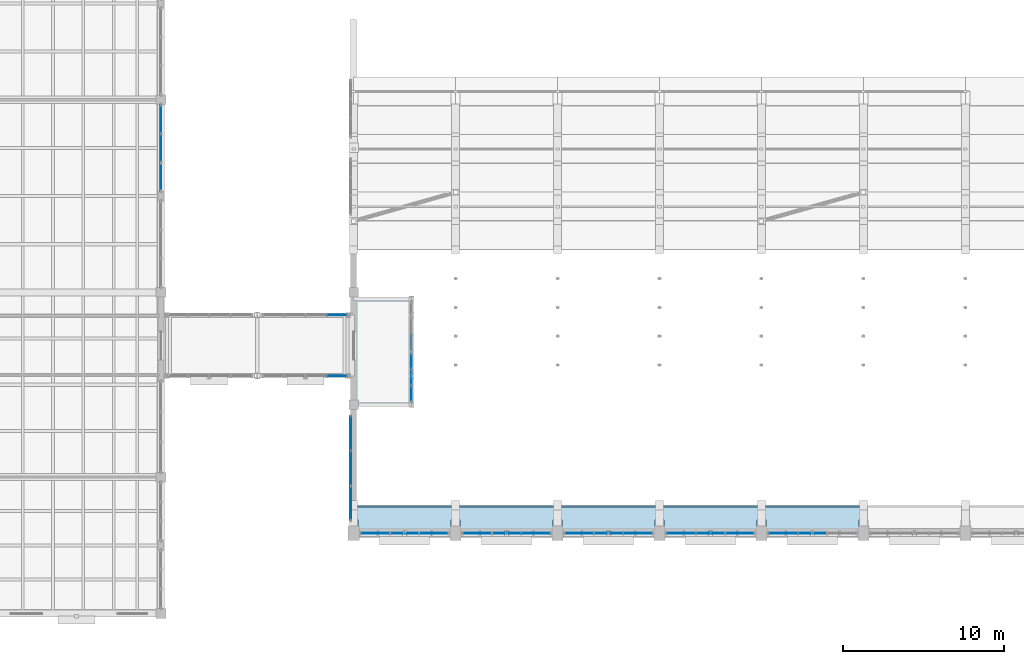
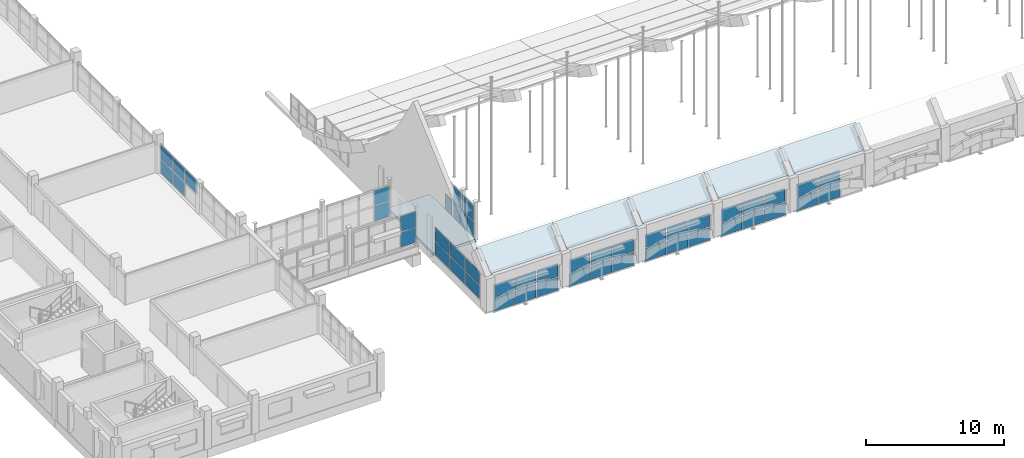
# One storey, part 48 of 77: 50 plates, 6 slabs, 11 elements without a shape of their own.
"""IFC4 building model written with IfcOpenShell, lengths in metres."""

from ifc_helpers import new_model, si_unit, direction, frame, origin, origin_2d, place, context, subcontext, project, spatial, polyline, rectangle, outline, extrude, material, layer, layer_set, type_object, element, aggregate, save


model = new_model("IFC4")

# Units and contexts
model_context = context("Model", 3, precision=1e-05, world=origin(), true_north=direction((0.0, 1.0)))
body_context = subcontext(model_context, "Body", "Model", "MODEL_VIEW")
ifc_project = project(units=[si_unit("LENGTHUNIT", "METRE"), si_unit("AREAUNIT", "SQUARE_METRE"), si_unit("VOLUMEUNIT", "CUBIC_METRE"), si_unit("PLANEANGLEUNIT", "RADIAN"), si_unit("MASSUNIT", "GRAM", prefix="KILO")], contexts=[model_context])

# Site, building, storey
site_placement = place(None, origin())
site = spatial("IfcSite", under=ifc_project, at=site_placement, CompositionType="ELEMENT")
building_placement = place(site_placement, origin())
building = spatial("IfcBuilding", under=site, at=building_placement, Name="Trellovar Central Fire Station", CompositionType="ELEMENT")
storey_placement = place(building_placement, frame((0.0, 0.0, 5.85009765625)))
storey = spatial("IfcBuildingStorey", under=building, at=storey_placement, Name="L02", CompositionType="ELEMENT", Elevation=5.85009765625)

# Curtain wall, plate
ifc_material_1 = material(Name="Thermally broken bronze anodized aluminum", Category="aluminium")
ifc_layer_1 = layer(ifc_material_1, 0.159912109375)
ifc_layer_set_1 = layer_set([ifc_layer_1], Name="Thermally broken bronze anodized aluminum")
curtain_wall_type_1 = type_object("IfcCurtainWallType", Name="CW-05", PredefinedType="NOTDEFINED", material=ifc_layer_set_1)
curtain_wall_1_placement = place(storey_placement, origin())
curtain_wall_1 = element("IfcCurtainWall", 1, at=curtain_wall_1_placement, inside=storey, type_object=curtain_wall_type_1, Name="V1 south upper clerestory 1", PredefinedType="NOTDEFINED")
ifc_material_2 = material(Name="Double low-E solar control insulated glazing", Category="glass")
ifc_layer_2 = layer(ifc_material_2, 0.031982421875)
ifc_layer_set_2 = layer_set([ifc_layer_2], Name="Double low-E solar control insulated glazing")
plate_type_1 = type_object("IfcPlateType", Name="CWP-GL1", PredefinedType="CURTAIN_PANEL", material=ifc_layer_set_2)
plate_1_placement = place(storey_placement, frame((39.99169921875, 14.0, 0.764892578125), z_axis=(0.0, 0.0, 1.0), x_axis=(1.0, 0.0, 0.0)))
plate_1 = element("IfcPlate", 2, at=plate_1_placement, type_object=plate_type_1, Name="CW3-L02-0001 panel 3-2", PredefinedType="CURTAIN_PANEL", context=body_context, shape_type="SweptSolid", body=[
    extrude(rectangle(XDim=1.73681640625, YDim=0.031982421875, at=origin_2d()), origin(), (0.0, 0.0, 1.0), 1.14501953125),
])

curtain_wall_2_placement = place(storey_placement, origin())
curtain_wall_2 = element("IfcCurtainWall", 3, at=curtain_wall_2_placement, inside=storey, type_object=curtain_wall_type_1, Name="V1 south upper clerestory 2", PredefinedType="NOTDEFINED")
plate_2_placement = place(storey_placement, frame((44.52490234375, 14.0, 0.764892578125), z_axis=(0.0, 0.0, 1.0), x_axis=(1.0, 0.0, 0.0)))
plate_2 = element("IfcPlate", 4, at=plate_2_placement, type_object=plate_type_1, Name="CW3-L02-0002 panel 2-2", PredefinedType="CURTAIN_PANEL", context=body_context, shape_type="SweptSolid", body=[
    extrude(rectangle(XDim=1.736572265625, YDim=0.031982421875, at=origin_2d()), origin(), (0.0, 0.0, 1.0), 1.14501953125),
])

curtain_wall_3_placement = place(storey_placement, origin())
curtain_wall_3 = element("IfcCurtainWall", 5, at=curtain_wall_3_placement, inside=storey, type_object=curtain_wall_type_1, Name="V1 south upper clerestory 3", PredefinedType="NOTDEFINED")
plate_3_placement = place(storey_placement, frame((49.058349609375, 14.0, 0.764892578125), z_axis=(0.0, 0.0, 1.0), x_axis=(1.0, 0.0, 0.0)))
plate_3 = element("IfcPlate", 6, at=plate_3_placement, type_object=plate_type_1, Name="CW3-L02-0003 panel 1-2", PredefinedType="CURTAIN_PANEL", context=body_context, shape_type="SweptSolid", body=[
    extrude(rectangle(XDim=1.73681640625, YDim=0.031982421875, at=origin_2d()), origin(), (0.0, 0.0, 1.0), 1.14501953125),
])

# Curtain wall, plates
ifc_material_3 = material(Name="Thermally broken bronze anodized aluminum", Category="aluminium")
ifc_layer_3 = layer(ifc_material_3, 0.159912109375)
ifc_layer_set_3 = layer_set([ifc_layer_3], Name="Thermally broken bronze anodized aluminum")
curtain_wall_type_2 = type_object("IfcCurtainWallType", Name="CW-15", PredefinedType="NOTDEFINED", material=ifc_layer_set_3)
curtain_wall_4_placement = place(storey_placement, origin())
curtain_wall_4 = element("IfcCurtainWall", 7, at=curtain_wall_4_placement, inside=storey, type_object=curtain_wall_type_2, Name="V1 W ski-jump gable clerestory 1", PredefinedType="NOTDEFINED")
plate_4_placement = place(storey_placement, frame((34.820068359375, 15.88330078125, 1.639892578125), z_axis=(0.0, 0.0, 1.0), x_axis=(0.0, 1.0, 0.0)))
plate_4 = element("IfcPlate", 8, at=plate_4_placement, type_object=plate_type_1, Name="CW3-L02-0011 panel 1-2", PredefinedType="CURTAIN_PANEL", context=body_context, shape_type="SweptSolid", body=[
    extrude(rectangle(XDim=2.086669921875, YDim=0.031982421875, at=origin_2d()), origin(), (0.0, 0.0, 1.0), 1.169921875),
])
plate_5_placement = place(storey_placement, frame((34.820068359375, 18.050048828125, 0.389892578125), z_axis=(0.0, 0.0, 1.0), x_axis=(0.0, 1.0, 0.0)))
plate_5 = element("IfcPlate", 9, at=plate_5_placement, type_object=plate_type_1, Name="CW3-L02-0011 panel 2-1", PredefinedType="CURTAIN_PANEL", context=body_context, shape_type="SweptSolid", body=[
    extrude(rectangle(XDim=2.086669921875, YDim=0.031982421875, at=origin_2d()), origin(), (0.0, 0.0, 1.0), 1.169921875),
])

# Curtain wall, plate
ifc_material_4 = material(Name="Thermally broken bronze anodized aluminum", Category="aluminium")
ifc_layer_4 = layer(ifc_material_4, 0.159912109375)
ifc_layer_set_4 = layer_set([ifc_layer_4], Name="Thermally broken bronze anodized aluminum")
curtain_wall_type_3 = type_object("IfcCurtainWallType", Name="CW-11", PredefinedType="NOTDEFINED", material=ifc_layer_set_4)
curtain_wall_5_placement = place(storey_placement, origin())
curtain_wall_5 = element("IfcCurtainWall", 10, at=curtain_wall_5_placement, inside=storey, type_object=curtain_wall_type_3, Name="V1 west vault gallery screen S", PredefinedType="NOTDEFINED")
plate_6_placement = place(storey_placement, frame((38.60009765625, 24.699951171875, 1.46484375), z_axis=(0.0, 0.0, 1.0), x_axis=(0.0, 1.0, 0.0)))
plate_6 = element("IfcPlate", 11, at=plate_6_placement, type_object=plate_type_1, Name="CW3-L02-0025 panel 3-2", PredefinedType="CURTAIN_PANEL", context=body_context, shape_type="SweptSolid", body=[
    extrude(rectangle(XDim=0.919921875, YDim=0.031982421875, at=origin_2d()), origin(), (0.0, 0.0, 1.0), 1.344970703125),
])

# Plate
ifc_material_5 = material(Name="Double low-E solar control insulated glazing", Category="glass")
ifc_layer_5 = layer(ifc_material_5, 0.035888671875)
ifc_layer_set_5 = layer_set([ifc_layer_5], Name="Double low-E solar control insulated glazing")
plate_type_2 = type_object("IfcPlateType", Name="CWP-GL2", PredefinedType="CURTAIN_PANEL", material=ifc_layer_set_5)
plate_7_placement = place(storey_placement, frame((46.341796875, 14.0, 0.764892578125), z_axis=(0.0, 0.0, 1.0), x_axis=(1.0, 0.0, 0.0)))
plate_7 = element("IfcPlate", 12, at=plate_7_placement, type_object=plate_type_2, Name="CW3-L02-0002 panel 3-2", PredefinedType="CURTAIN_PANEL", context=body_context, shape_type="SweptSolid", body=[
    extrude(rectangle(XDim=1.73681640625, YDim=0.035888671875, at=origin_2d()), origin(), (0.0, 0.0, 1.0), 1.14501953125),
])

plate_8_placement = place(storey_placement, frame((50.875, 14.0, 0.764892578125), z_axis=(0.0, 0.0, 1.0), x_axis=(1.0, 0.0, 0.0)))
plate_8 = element("IfcPlate", 13, at=plate_8_placement, type_object=plate_type_2, Name="CW3-L02-0003 panel 2-2", PredefinedType="CURTAIN_PANEL", context=body_context, shape_type="SweptSolid", body=[
    extrude(rectangle(XDim=1.736572265625, YDim=0.035888671875, at=origin_2d()), origin(), (0.0, 0.0, 1.0), 1.14501953125),
])

# Curtain wall, plate
curtain_wall_6_placement = place(storey_placement, origin())
curtain_wall_6 = element("IfcCurtainWall", 14, at=curtain_wall_6_placement, inside=storey, type_object=curtain_wall_type_1, Name="V1 south upper clerestory 4", PredefinedType="NOTDEFINED")
plate_9_placement = place(storey_placement, frame((55.408203125, 14.0, 0.764892578125), z_axis=(0.0, 0.0, 1.0), x_axis=(1.0, 0.0, 0.0)))
plate_9 = element("IfcPlate", 15, at=plate_9_placement, type_object=plate_type_2, Name="CW3-L02-0004 panel 1-2", PredefinedType="CURTAIN_PANEL", context=body_context, shape_type="SweptSolid", body=[
    extrude(rectangle(XDim=1.73681640625, YDim=0.035888671875, at=origin_2d()), origin(), (0.0, 0.0, 1.0), 1.14501953125),
])

# Plate
plate_10_placement = place(storey_placement, frame((34.820068359375, 18.050048828125, 1.639892578125), z_axis=(0.0, 0.0, 1.0), x_axis=(0.0, 1.0, 0.0)))
plate_10 = element("IfcPlate", 16, at=plate_10_placement, type_object=plate_type_2, Name="CW3-L02-0011 panel 2-2", PredefinedType="CURTAIN_PANEL", context=body_context, shape_type="SweptSolid", body=[
    extrude(rectangle(XDim=2.086669921875, YDim=0.035888671875, at=origin_2d()), origin(), (0.0, 0.0, 1.0), 1.169921875),
])

plate_11_placement = place(storey_placement, frame((34.820068359375, 20.216796875, 0.389892578125), z_axis=(0.0, 0.0, 1.0), x_axis=(0.0, 1.0, 0.0)))
plate_11 = element("IfcPlate", 17, at=plate_11_placement, type_object=plate_type_2, Name="CW3-L02-0011 panel 3-1", PredefinedType="CURTAIN_PANEL", context=body_context, shape_type="SweptSolid", body=[
    extrude(rectangle(XDim=2.086669921875, YDim=0.035888671875, at=origin_2d()), origin(), (0.0, 0.0, 1.0), 1.169921875),
])

# Curtain wall, plate
ifc_material_6 = material(Name="Thermally broken bronze anodized aluminum", Category="aluminium")
ifc_layer_6 = layer(ifc_material_6, 0.159912109375)
ifc_layer_set_6 = layer_set([ifc_layer_6], Name="Thermally broken bronze anodized aluminum")
curtain_wall_type_4 = type_object("IfcCurtainWallType", Name="CW-14", PredefinedType="NOTDEFINED", material=ifc_layer_set_6)
curtain_wall_7_placement = place(storey_placement, origin())
curtain_wall_7 = element("IfcCurtainWall", 18, at=curtain_wall_7_placement, inside=storey, type_object=curtain_wall_type_4, Name="Cloister skybridge north curtain wall", PredefinedType="NOTDEFINED")
plate_12_placement = place(storey_placement, frame((33.987548828125, 27.60009765625, 1.433837890625), z_axis=(0.0, 0.0, 1.0), x_axis=(-1.0, 0.0, 0.0)))
plate_12 = element("IfcPlate", 19, at=plate_12_placement, type_object=plate_type_2, Name="CW3-L02-0024 panel 1-2", PredefinedType="CURTAIN_PANEL", context=body_context, shape_type="SweptSolid", body=[
    extrude(rectangle(XDim=1.2451171875, YDim=0.035888671875, at=origin_2d()), origin(), (0.0, 0.0, 1.0), 1.31396484375),
])

ifc_material_7 = material(Name="Thermally broken bronze anodized aluminum", Category="aluminium")
ifc_layer_7 = layer(ifc_material_7, 0.159912109375)
ifc_layer_set_7 = layer_set([ifc_layer_7], Name="Thermally broken bronze anodized aluminum")
curtain_wall_type_5 = type_object("IfcCurtainWallType", Name="CW-02", PredefinedType="NOTDEFINED", material=ifc_layer_set_7)
curtain_wall_8_placement = place(storey_placement, origin())
curtain_wall_8 = element("IfcCurtainWall", 20, at=curtain_wall_8_placement, inside=storey, type_object=curtain_wall_type_5, Name="L02 curtain wall CW-2", PredefinedType="NOTDEFINED")
plate_13_placement = place(storey_placement, frame((23.0, 36.19580078125, 1.31494140625), z_axis=(0.0, 0.0, 1.0), x_axis=(0.0, 1.0, 0.0)))
plate_13 = element("IfcPlate", 21, at=plate_13_placement, type_object=plate_type_2, Name="CW3-L02-0040 panel 1-2", PredefinedType="CURTAIN_PANEL", context=body_context, shape_type="SweptSolid", body=[
    extrude(rectangle(XDim=1.711669921875, YDim=0.035888671875, at=origin_2d()), origin(), (0.0, 0.0, 1.0), 1.195068359375),
])

# Plate
ifc_material_8 = material(Name="Double low-E solar control insulated glazing", Category="glass")
ifc_layer_8 = layer(ifc_material_8, 0.033935546875)
ifc_layer_set_8 = layer_set([ifc_layer_8], Name="Double low-E solar control insulated glazing")
plate_type_3 = type_object("IfcPlateType", Name="CWP-GL3", PredefinedType="CURTAIN_PANEL", material=ifc_layer_set_8)
plate_14_placement = place(storey_placement, frame((36.3583984375, 14.0, 0.764892578125), z_axis=(0.0, 0.0, 1.0), x_axis=(1.0, 0.0, 0.0)))
plate_14 = element("IfcPlate", 22, at=plate_14_placement, type_object=plate_type_3, Name="CW3-L02-0001 panel 1-2", PredefinedType="CURTAIN_PANEL", context=body_context, shape_type="SweptSolid", body=[
    extrude(rectangle(XDim=1.73681640625, YDim=0.033935546875, at=origin_2d()), origin(), (0.0, 0.0, 1.0), 1.14501953125),
])

plate_15_placement = place(storey_placement, frame((52.691650390625, 14.0, 0.764892578125), z_axis=(0.0, 0.0, 1.0), x_axis=(1.0, 0.0, 0.0)))
plate_15 = element("IfcPlate", 23, at=plate_15_placement, type_object=plate_type_3, Name="CW3-L02-0003 panel 3-2", PredefinedType="CURTAIN_PANEL", context=body_context, shape_type="SweptSolid", body=[
    extrude(rectangle(XDim=1.73681640625, YDim=0.033935546875, at=origin_2d()), origin(), (0.0, 0.0, 1.0), 1.14501953125),
])

plate_16_placement = place(storey_placement, frame((57.22509765625, 14.0, 0.764892578125), z_axis=(0.0, 0.0, 1.0), x_axis=(1.0, 0.0, 0.0)))
plate_16 = element("IfcPlate", 24, at=plate_16_placement, type_object=plate_type_3, Name="CW3-L02-0004 panel 2-2", PredefinedType="CURTAIN_PANEL", context=body_context, shape_type="SweptSolid", body=[
    extrude(rectangle(XDim=1.736572265625, YDim=0.033935546875, at=origin_2d()), origin(), (0.0, 0.0, 1.0), 1.14501953125),
])

# Curtain wall, plate
curtain_wall_9_placement = place(storey_placement, origin())
curtain_wall_9 = element("IfcCurtainWall", 25, at=curtain_wall_9_placement, inside=storey, type_object=curtain_wall_type_1, Name="V1 south upper clerestory 5", PredefinedType="NOTDEFINED")
plate_17_placement = place(storey_placement, frame((61.75830078125, 14.0, 0.764892578125), z_axis=(0.0, 0.0, 1.0), x_axis=(1.0, 0.0, 0.0)))
plate_17 = element("IfcPlate", 26, at=plate_17_placement, type_object=plate_type_3, Name="CW3-L02-0005 panel 1-2", PredefinedType="CURTAIN_PANEL", context=body_context, shape_type="SweptSolid", body=[
    extrude(rectangle(XDim=1.73681640625, YDim=0.033935546875, at=origin_2d()), origin(), (0.0, 0.0, 1.0), 1.14501953125),
])

# Plate
plate_18_placement = place(storey_placement, frame((34.820068359375, 20.216796875, 1.639892578125), z_axis=(0.0, 0.0, 1.0), x_axis=(0.0, 1.0, 0.0)))
plate_18 = element("IfcPlate", 27, at=plate_18_placement, type_object=plate_type_3, Name="CW3-L02-0011 panel 3-2", PredefinedType="CURTAIN_PANEL", context=body_context, shape_type="SweptSolid", body=[
    extrude(rectangle(XDim=2.086669921875, YDim=0.033935546875, at=origin_2d()), origin(), (0.0, 0.0, 1.0), 1.169921875),
])

plate_19_placement = place(storey_placement, frame((38.60009765625, 22.699951171875, 1.46484375), z_axis=(0.0, 0.0, 1.0), x_axis=(0.0, 1.0, 0.0)))
plate_19 = element("IfcPlate", 28, at=plate_19_placement, type_object=plate_type_3, Name="CW3-L02-0025 panel 1-2", PredefinedType="CURTAIN_PANEL", context=body_context, shape_type="SweptSolid", body=[
    extrude(rectangle(XDim=0.919921875, YDim=0.033935546875, at=origin_2d()), origin(), (0.0, 0.0, 1.0), 1.344970703125),
])

plate_20_placement = place(storey_placement, frame((23.0, 37.987548828125, 1.31494140625), z_axis=(0.0, 0.0, 1.0), x_axis=(0.0, 1.0, 0.0)))
plate_20 = element("IfcPlate", 29, at=plate_20_placement, type_object=plate_type_3, Name="CW3-L02-0040 panel 2-2", PredefinedType="CURTAIN_PANEL", context=body_context, shape_type="SweptSolid", body=[
    extrude(rectangle(XDim=1.711669921875, YDim=0.033935546875, at=origin_2d()), origin(), (0.0, 0.0, 1.0), 1.195068359375),
])

ifc_material_9 = material(Name="Double low-E solar control insulated glazing", Category="glass")
ifc_layer_9 = layer(ifc_material_9, 0.030029296875)
ifc_layer_set_9 = layer_set([ifc_layer_9], Name="Double low-E solar control insulated glazing")
plate_type_4 = type_object("IfcPlateType", Name="CWP-GL4", PredefinedType="CURTAIN_PANEL", material=ifc_layer_set_9)
plate_21_placement = place(storey_placement, frame((38.175048828125, 14.0, 0.764892578125), z_axis=(0.0, 0.0, 1.0), x_axis=(1.0, 0.0, 0.0)))
plate_21 = element("IfcPlate", 30, at=plate_21_placement, type_object=plate_type_4, Name="CW3-L02-0001 panel 2-2", PredefinedType="CURTAIN_PANEL", context=body_context, shape_type="SweptSolid", body=[
    extrude(rectangle(XDim=1.736572265625, YDim=0.030029296875, at=origin_2d()), origin(), (0.0, 0.0, 1.0), 1.14501953125),
])

plate_22_placement = place(storey_placement, frame((42.70849609375, 14.0, 0.764892578125), z_axis=(0.0, 0.0, 1.0), x_axis=(1.0, 0.0, 0.0)))
plate_22 = element("IfcPlate", 31, at=plate_22_placement, type_object=plate_type_4, Name="CW3-L02-0002 panel 1-2", PredefinedType="CURTAIN_PANEL", context=body_context, shape_type="SweptSolid", body=[
    extrude(rectangle(XDim=1.73681640625, YDim=0.030029296875, at=origin_2d()), origin(), (0.0, 0.0, 1.0), 1.14501953125),
])

plate_23_placement = place(storey_placement, frame((59.041748046875, 14.0, 0.764892578125), z_axis=(0.0, 0.0, 1.0), x_axis=(1.0, 0.0, 0.0)))
plate_23 = element("IfcPlate", 32, at=plate_23_placement, type_object=plate_type_4, Name="CW3-L02-0004 panel 3-2", PredefinedType="CURTAIN_PANEL", context=body_context, shape_type="SweptSolid", body=[
    extrude(rectangle(XDim=1.73681640625, YDim=0.030029296875, at=origin_2d()), origin(), (0.0, 0.0, 1.0), 1.14501953125),
])

plate_24_placement = place(storey_placement, frame((63.574951171875, 14.0, 0.764892578125), z_axis=(0.0, 0.0, 1.0), x_axis=(1.0, 0.0, 0.0)))
plate_24 = element("IfcPlate", 33, at=plate_24_placement, type_object=plate_type_4, Name="CW3-L02-0005 panel 2-2", PredefinedType="CURTAIN_PANEL", context=body_context, shape_type="SweptSolid", body=[
    extrude(rectangle(XDim=1.736572265625, YDim=0.030029296875, at=origin_2d()), origin(), (0.0, 0.0, 1.0), 1.14501953125),
])

plate_25_placement = place(storey_placement, frame((34.820068359375, 15.88330078125, 0.389892578125), z_axis=(0.0, 0.0, 1.0), x_axis=(0.0, 1.0, 0.0)))
plate_25 = element("IfcPlate", 34, at=plate_25_placement, type_object=plate_type_4, Name="CW3-L02-0011 panel 1-1", PredefinedType="CURTAIN_PANEL", context=body_context, shape_type="SweptSolid", body=[
    extrude(rectangle(XDim=2.086669921875, YDim=0.030029296875, at=origin_2d()), origin(), (0.0, 0.0, 1.0), 1.169921875),
])

aggregate(curtain_wall_4, [plate_25, plate_4, plate_5, plate_10, plate_11, plate_18])

# Curtain wall, plate
curtain_wall_10_placement = place(storey_placement, origin())
curtain_wall_10 = element("IfcCurtainWall", 35, at=curtain_wall_10_placement, inside=storey, type_object=curtain_wall_type_4, Name="Cloister skybridge south curtain wall", PredefinedType="NOTDEFINED")
plate_26_placement = place(storey_placement, frame((33.987548828125, 23.800048828125, 1.433837890625), z_axis=(0.0, 0.0, 1.0), x_axis=(1.0, 0.0, 0.0)))
plate_26 = element("IfcPlate", 36, at=plate_26_placement, type_object=plate_type_4, Name="CW3-L02-0023 panel 4-2", PredefinedType="CURTAIN_PANEL", context=body_context, shape_type="SweptSolid", body=[
    extrude(rectangle(XDim=1.2451171875, YDim=0.030029296875, at=origin_2d()), origin(), (0.0, 0.0, 1.0), 1.31396484375),
])

# Plate
plate_27_placement = place(storey_placement, frame((38.60009765625, 23.699951171875, 1.46484375), z_axis=(0.0, 0.0, 1.0), x_axis=(0.0, 1.0, 0.0)))
plate_27 = element("IfcPlate", 37, at=plate_27_placement, type_object=plate_type_4, Name="CW3-L02-0025 panel 2-2", PredefinedType="CURTAIN_PANEL", context=body_context, shape_type="SweptSolid", body=[
    extrude(rectangle(XDim=0.919921875, YDim=0.030029296875, at=origin_2d()), origin(), (0.0, 0.0, 1.0), 1.344970703125),
])

plate_28_placement = place(storey_placement, frame((23.0, 39.779052734375, 1.31494140625), z_axis=(0.0, 0.0, 1.0), x_axis=(0.0, 1.0, 0.0)))
plate_28 = element("IfcPlate", 38, at=plate_28_placement, type_object=plate_type_4, Name="CW3-L02-0040 panel 3-2", PredefinedType="CURTAIN_PANEL", context=body_context, shape_type="SweptSolid", body=[
    extrude(rectangle(XDim=1.711669921875, YDim=0.030029296875, at=origin_2d()), origin(), (0.0, 0.0, 1.0), 1.195068359375),
])

ifc_material_10 = material(Name="Glazed ceramic trencadis and terracotta panel", Category="masonry")
ifc_layer_10 = layer(ifc_material_10, 0.048095703125)
ifc_layer_set_10 = layer_set([ifc_layer_10], Name="Glazed ceramic trencadis and terracotta panel")
plate_type_5 = type_object("IfcPlateType", Name="CWP-SP1", PredefinedType="CURTAIN_PANEL", material=ifc_layer_set_10)
plate_29_placement = place(storey_placement, frame((38.175048828125, 14.0, -0.460205078125), z_axis=(0.0, 0.0, 1.0), x_axis=(1.0, 0.0, 0.0)))
plate_29 = element("IfcPlate", 39, at=plate_29_placement, type_object=plate_type_5, Name="CW3-L02-0001 panel 2-1", PredefinedType="CURTAIN_PANEL", context=body_context, shape_type="SweptSolid", body=[
    extrude(rectangle(XDim=1.736572265625, YDim=0.048095703125, at=origin_2d()), origin(), (0.0, 0.0, 1.0), 1.14501953125),
])

plate_30_placement = place(storey_placement, frame((42.70849609375, 14.0, -0.460205078125), z_axis=(0.0, 0.0, 1.0), x_axis=(1.0, 0.0, 0.0)))
plate_30 = element("IfcPlate", 40, at=plate_30_placement, type_object=plate_type_5, Name="CW3-L02-0002 panel 1-1", PredefinedType="CURTAIN_PANEL", context=body_context, shape_type="SweptSolid", body=[
    extrude(rectangle(XDim=1.73681640625, YDim=0.048095703125, at=origin_2d()), origin(), (0.0, 0.0, 1.0), 1.14501953125),
])

plate_31_placement = place(storey_placement, frame((46.341796875, 14.0, -0.460205078125), z_axis=(0.0, 0.0, 1.0), x_axis=(1.0, 0.0, 0.0)))
plate_31 = element("IfcPlate", 41, at=plate_31_placement, type_object=plate_type_5, Name="CW3-L02-0002 panel 3-1", PredefinedType="CURTAIN_PANEL", context=body_context, shape_type="SweptSolid", body=[
    extrude(rectangle(XDim=1.73681640625, YDim=0.048095703125, at=origin_2d()), origin(), (0.0, 0.0, 1.0), 1.14501953125),
])

plate_32_placement = place(storey_placement, frame((50.875, 14.0, -0.460205078125), z_axis=(0.0, 0.0, 1.0), x_axis=(1.0, 0.0, 0.0)))
plate_32 = element("IfcPlate", 42, at=plate_32_placement, type_object=plate_type_5, Name="CW3-L02-0003 panel 2-1", PredefinedType="CURTAIN_PANEL", context=body_context, shape_type="SweptSolid", body=[
    extrude(rectangle(XDim=1.736572265625, YDim=0.048095703125, at=origin_2d()), origin(), (0.0, 0.0, 1.0), 1.14501953125),
])

plate_33_placement = place(storey_placement, frame((55.408203125, 14.0, -0.460205078125), z_axis=(0.0, 0.0, 1.0), x_axis=(1.0, 0.0, 0.0)))
plate_33 = element("IfcPlate", 43, at=plate_33_placement, type_object=plate_type_5, Name="CW3-L02-0004 panel 1-1", PredefinedType="CURTAIN_PANEL", context=body_context, shape_type="SweptSolid", body=[
    extrude(rectangle(XDim=1.73681640625, YDim=0.048095703125, at=origin_2d()), origin(), (0.0, 0.0, 1.0), 1.14501953125),
])

plate_34_placement = place(storey_placement, frame((59.041748046875, 14.0, -0.460205078125), z_axis=(0.0, 0.0, 1.0), x_axis=(1.0, 0.0, 0.0)))
plate_34 = element("IfcPlate", 44, at=plate_34_placement, type_object=plate_type_5, Name="CW3-L02-0004 panel 3-1", PredefinedType="CURTAIN_PANEL", context=body_context, shape_type="SweptSolid", body=[
    extrude(rectangle(XDim=1.73681640625, YDim=0.048095703125, at=origin_2d()), origin(), (0.0, 0.0, 1.0), 1.14501953125),
])

plate_35_placement = place(storey_placement, frame((63.574951171875, 14.0, -0.460205078125), z_axis=(0.0, 0.0, 1.0), x_axis=(1.0, 0.0, 0.0)))
plate_35 = element("IfcPlate", 45, at=plate_35_placement, type_object=plate_type_5, Name="CW3-L02-0005 panel 2-1", PredefinedType="CURTAIN_PANEL", context=body_context, shape_type="SweptSolid", body=[
    extrude(rectangle(XDim=1.736572265625, YDim=0.048095703125, at=origin_2d()), origin(), (0.0, 0.0, 1.0), 1.14501953125),
])

plate_36_placement = place(storey_placement, frame((33.987548828125, 23.800048828125, 0.0400390625), z_axis=(0.0, 0.0, 1.0), x_axis=(1.0, 0.0, 0.0)))
plate_36 = element("IfcPlate", 46, at=plate_36_placement, type_object=plate_type_5, Name="CW3-L02-0023 panel 4-1", PredefinedType="CURTAIN_PANEL", context=body_context, shape_type="SweptSolid", body=[
    extrude(rectangle(XDim=1.2451171875, YDim=0.048095703125, at=origin_2d()), origin(), (0.0, 0.0, 1.0), 1.31396484375),
])

aggregate(curtain_wall_10, [plate_36, plate_26])

plate_37_placement = place(storey_placement, frame((33.987548828125, 27.60009765625, 0.0400390625), z_axis=(0.0, 0.0, 1.0), x_axis=(-1.0, 0.0, 0.0)))
plate_37 = element("IfcPlate", 47, at=plate_37_placement, type_object=plate_type_5, Name="CW3-L02-0024 panel 1-1", PredefinedType="CURTAIN_PANEL", context=body_context, shape_type="SweptSolid", body=[
    extrude(rectangle(XDim=1.2451171875, YDim=0.048095703125, at=origin_2d()), origin(), (0.0, 0.0, 1.0), 1.31396484375),
])

aggregate(curtain_wall_7, [plate_37, plate_12])

plate_38_placement = place(storey_placement, frame((38.60009765625, 23.699951171875, 0.0400390625), z_axis=(0.0, 0.0, 1.0), x_axis=(0.0, 1.0, 0.0)))
plate_38 = element("IfcPlate", 48, at=plate_38_placement, type_object=plate_type_5, Name="CW3-L02-0025 panel 2-1", PredefinedType="CURTAIN_PANEL", context=body_context, shape_type="SweptSolid", body=[
    extrude(rectangle(XDim=0.919921875, YDim=0.048095703125, at=origin_2d()), origin(), (0.0, 0.0, 1.0), 1.344970703125),
])

# Curtain wall, plate
curtain_wall_11_placement = place(storey_placement, origin())
curtain_wall_11 = element("IfcCurtainWall", 49, at=curtain_wall_11_placement, inside=storey, type_object=curtain_wall_type_3, Name="V1 west vault gallery screen N", PredefinedType="NOTDEFINED")
plate_39_placement = place(storey_placement, frame((38.60009765625, 25.89990234375, 0.0400390625), z_axis=(0.0, 0.0, 1.0), x_axis=(0.0, 1.0, 0.0)))
plate_39 = element("IfcPlate", 50, at=plate_39_placement, type_object=plate_type_5, Name="CW3-L02-0026 panel 1-1", PredefinedType="CURTAIN_PANEL", context=body_context, shape_type="SweptSolid", body=[
    extrude(rectangle(XDim=0.919921875, YDim=0.048095703125, at=origin_2d()), origin(), (0.0, 0.0, 1.0), 1.344970703125),
])
aggregate(curtain_wall_11, [plate_39])

# Plate
plate_40_placement = place(storey_placement, frame((23.0, 39.779052734375, 0.0400390625), z_axis=(0.0, 0.0, 1.0), x_axis=(0.0, 1.0, 0.0)))
plate_40 = element("IfcPlate", 51, at=plate_40_placement, type_object=plate_type_5, Name="CW3-L02-0040 panel 3-1", PredefinedType="CURTAIN_PANEL", context=body_context, shape_type="SweptSolid", body=[
    extrude(rectangle(XDim=1.711669921875, YDim=0.048095703125, at=origin_2d()), origin(), (0.0, 0.0, 1.0), 1.195068359375),
])

ifc_material_11 = material(Name="Glazed ceramic trencadis and terracotta panel", Category="masonry")
ifc_layer_11 = layer(ifc_material_11, 0.044921875)
ifc_layer_set_11 = layer_set([ifc_layer_11], Name="Glazed ceramic trencadis and terracotta panel")
plate_type_6 = type_object("IfcPlateType", Name="CWP-SP2", PredefinedType="CURTAIN_PANEL", material=ifc_layer_set_11)
plate_41_placement = place(storey_placement, frame((36.3583984375, 14.0, -0.460205078125), z_axis=(0.0, 0.0, 1.0), x_axis=(1.0, 0.0, 0.0)))
plate_41 = element("IfcPlate", 52, at=plate_41_placement, type_object=plate_type_6, Name="CW3-L02-0001 panel 1-1", PredefinedType="CURTAIN_PANEL", context=body_context, shape_type="SweptSolid", body=[
    extrude(rectangle(XDim=1.73681640625, YDim=0.044921875, at=origin_2d()), origin(), (0.0, 0.0, 1.0), 1.14501953125),
])

plate_42_placement = place(storey_placement, frame((39.99169921875, 14.0, -0.460205078125), z_axis=(0.0, 0.0, 1.0), x_axis=(1.0, 0.0, 0.0)))
plate_42 = element("IfcPlate", 53, at=plate_42_placement, type_object=plate_type_6, Name="CW3-L02-0001 panel 3-1", PredefinedType="CURTAIN_PANEL", context=body_context, shape_type="SweptSolid", body=[
    extrude(rectangle(XDim=1.73681640625, YDim=0.044921875, at=origin_2d()), origin(), (0.0, 0.0, 1.0), 1.14501953125),
])

aggregate(curtain_wall_1, [plate_41, plate_14, plate_29, plate_21, plate_42, plate_1])

plate_43_placement = place(storey_placement, frame((44.52490234375, 14.0, -0.460205078125), z_axis=(0.0, 0.0, 1.0), x_axis=(1.0, 0.0, 0.0)))
plate_43 = element("IfcPlate", 54, at=plate_43_placement, type_object=plate_type_6, Name="CW3-L02-0002 panel 2-1", PredefinedType="CURTAIN_PANEL", context=body_context, shape_type="SweptSolid", body=[
    extrude(rectangle(XDim=1.736572265625, YDim=0.044921875, at=origin_2d()), origin(), (0.0, 0.0, 1.0), 1.14501953125),
])

aggregate(curtain_wall_2, [plate_30, plate_22, plate_43, plate_2, plate_31, plate_7])

plate_44_placement = place(storey_placement, frame((49.058349609375, 14.0, -0.460205078125), z_axis=(0.0, 0.0, 1.0), x_axis=(1.0, 0.0, 0.0)))
plate_44 = element("IfcPlate", 55, at=plate_44_placement, type_object=plate_type_6, Name="CW3-L02-0003 panel 1-1", PredefinedType="CURTAIN_PANEL", context=body_context, shape_type="SweptSolid", body=[
    extrude(rectangle(XDim=1.73681640625, YDim=0.044921875, at=origin_2d()), origin(), (0.0, 0.0, 1.0), 1.14501953125),
])

plate_45_placement = place(storey_placement, frame((52.691650390625, 14.0, -0.460205078125), z_axis=(0.0, 0.0, 1.0), x_axis=(1.0, 0.0, 0.0)))
plate_45 = element("IfcPlate", 56, at=plate_45_placement, type_object=plate_type_6, Name="CW3-L02-0003 panel 3-1", PredefinedType="CURTAIN_PANEL", context=body_context, shape_type="SweptSolid", body=[
    extrude(rectangle(XDim=1.73681640625, YDim=0.044921875, at=origin_2d()), origin(), (0.0, 0.0, 1.0), 1.14501953125),
])

aggregate(curtain_wall_3, [plate_44, plate_3, plate_32, plate_8, plate_45, plate_15])

plate_46_placement = place(storey_placement, frame((57.22509765625, 14.0, -0.460205078125), z_axis=(0.0, 0.0, 1.0), x_axis=(1.0, 0.0, 0.0)))
plate_46 = element("IfcPlate", 57, at=plate_46_placement, type_object=plate_type_6, Name="CW3-L02-0004 panel 2-1", PredefinedType="CURTAIN_PANEL", context=body_context, shape_type="SweptSolid", body=[
    extrude(rectangle(XDim=1.736572265625, YDim=0.044921875, at=origin_2d()), origin(), (0.0, 0.0, 1.0), 1.14501953125),
])

aggregate(curtain_wall_6, [plate_33, plate_9, plate_46, plate_16, plate_34, plate_23])

plate_47_placement = place(storey_placement, frame((61.75830078125, 14.0, -0.460205078125), z_axis=(0.0, 0.0, 1.0), x_axis=(1.0, 0.0, 0.0)))
plate_47 = element("IfcPlate", 58, at=plate_47_placement, type_object=plate_type_6, Name="CW3-L02-0005 panel 1-1", PredefinedType="CURTAIN_PANEL", context=body_context, shape_type="SweptSolid", body=[
    extrude(rectangle(XDim=1.73681640625, YDim=0.044921875, at=origin_2d()), origin(), (0.0, 0.0, 1.0), 1.14501953125),
])

aggregate(curtain_wall_9, [plate_47, plate_17, plate_35, plate_24])

plate_48_placement = place(storey_placement, frame((38.60009765625, 22.699951171875, 0.0400390625), z_axis=(0.0, 0.0, 1.0), x_axis=(0.0, 1.0, 0.0)))
plate_48 = element("IfcPlate", 59, at=plate_48_placement, type_object=plate_type_6, Name="CW3-L02-0025 panel 1-1", PredefinedType="CURTAIN_PANEL", context=body_context, shape_type="SweptSolid", body=[
    extrude(rectangle(XDim=0.919921875, YDim=0.044921875, at=origin_2d()), origin(), (0.0, 0.0, 1.0), 1.344970703125),
])

plate_49_placement = place(storey_placement, frame((38.60009765625, 24.699951171875, 0.0400390625), z_axis=(0.0, 0.0, 1.0), x_axis=(0.0, 1.0, 0.0)))
plate_49 = element("IfcPlate", 60, at=plate_49_placement, type_object=plate_type_6, Name="CW3-L02-0025 panel 3-1", PredefinedType="CURTAIN_PANEL", context=body_context, shape_type="SweptSolid", body=[
    extrude(rectangle(XDim=0.919921875, YDim=0.044921875, at=origin_2d()), origin(), (0.0, 0.0, 1.0), 1.344970703125),
])

aggregate(curtain_wall_5, [plate_48, plate_19, plate_38, plate_27, plate_49, plate_6])

plate_50_placement = place(storey_placement, frame((23.0, 37.987548828125, 0.0400390625), z_axis=(0.0, 0.0, 1.0), x_axis=(0.0, 1.0, 0.0)))
plate_50 = element("IfcPlate", 61, at=plate_50_placement, type_object=plate_type_6, Name="CW3-L02-0040 panel 2-1", PredefinedType="CURTAIN_PANEL", context=body_context, shape_type="SweptSolid", body=[
    extrude(rectangle(XDim=1.711669921875, YDim=0.044921875, at=origin_2d()), origin(), (0.0, 0.0, 1.0), 1.195068359375),
])

aggregate(curtain_wall_8, [plate_13, plate_50, plate_20, plate_40, plate_28])

# Slabs
ifc_material_12 = material(Name="Concrete C40/50", Category="concrete")
ifc_layer_12 = layer(ifc_material_12, 0.239990234375)
ifc_layer_set_12 = layer_set([ifc_layer_12], Name="Concrete C40/50")
slab_type_1 = type_object("IfcSlabType", Name="SLB-FL240", PredefinedType="FLOOR", material=ifc_layer_set_12)
slab_1_placement = place(storey_placement, frame((0.0, 0.0, -0.239990234375)))
element("IfcSlab", 62, at=slab_1_placement, inside=storey, type_object=slab_type_1, Name="Appliance vault west observation gallery L02 slab", PredefinedType="FLOOR", context=body_context, shape_type="SweptSolid", body=[
    extrude(outline(polyline([(35.090087890625, 22.0), (38.60009765625, 22.0), (38.60009765625, 28.60009765625), (35.090087890625, 28.60009765625), (35.090087890625, 22.0)])), origin(), (0.0, 0.0, 1.0), 0.239990234375),
])
ifc_material_13 = material(Name="Concrete C40/50", Category="concrete")
ifc_layer_13 = layer(ifc_material_13, 0.179931640625)
ifc_layer_set_13 = layer_set([ifc_layer_13], Name="Concrete C40/50")
slab_type_2 = type_object("IfcSlabType", Name="SLB-VLT180", PredefinedType="ROOF", material=ifc_layer_set_13)
slab_2_placement = place(storey_placement, frame((35.280029296875, 14.001953125, 2.95166015625), z_axis=(0.0, -0.66769845156, 0.744431848985), x_axis=(1.0, 0.0, 0.0)))
element("IfcSlab", 63, at=slab_2_placement, inside=storey, type_object=slab_type_2, Name="Catalan ski-jump vault strip V1-01-01", PredefinedType="ROOF", context=body_context, shape_type="SweptSolid", body=[
    extrude(outline(polyline([(0.0, 0.0), (5.7900390625, 0.0), (5.7900390625, 1.0898818648144746), (6.070068359375, 1.0898818648144746), (6.070068359375, 2.1796007173116734), (-0.280029296875, 2.1796007173116734), (-0.280029296875, 1.0898818648144746), (0.0, 1.0898818648144746), (0.0, 0.0)])), origin(), (0.0, 0.0, -1.0), 0.179931640625),
])
slab_3_placement = place(storey_placement, frame((41.6298828125, 14.001953125, 2.95166015625), z_axis=(0.0, -0.667698452751, 0.744431847917), x_axis=(1.0, 0.0, 0.0)))
element("IfcSlab", 64, at=slab_3_placement, inside=storey, type_object=slab_type_2, Name="Catalan ski-jump vault strip V1-02-01", PredefinedType="ROOF", context=body_context, shape_type="SweptSolid", body=[
    extrude(outline(polyline([(0.0, 0.0), (5.7900390625, 0.0), (5.7900390625, 1.0898818648146267), (6.070068359375, 1.0898818648146267), (6.070068359375, 2.179600717311687), (-0.27978515625, 2.179600717311687), (-0.27978515625, 1.0898818648146267), (0.0, 1.0898818648146267), (0.0, 0.0)])), origin(), (0.0, 0.0, -1.0), 0.179931640625),
])
slab_4_placement = place(storey_placement, frame((47.97998046875, 14.001953125, 2.95166015625), z_axis=(0.0, -0.66769845156, 0.744431848985), x_axis=(1.0, 0.0, 0.0)))
element("IfcSlab", 65, at=slab_4_placement, inside=storey, type_object=slab_type_2, Name="Catalan ski-jump vault strip V1-03-01", PredefinedType="ROOF", context=body_context, shape_type="SweptSolid", body=[
    extrude(outline(polyline([(0.0, 0.0), (5.7900390625, 0.0), (5.7900390625, 1.0898818648144746), (6.070068359375, 1.0898818648144746), (6.070068359375, 2.1796007173116734), (-0.280029296875, 2.1796007173116734), (-0.280029296875, 1.0898818648144746), (0.0, 1.0898818648144746), (0.0, 0.0)])), origin(), (0.0, 0.0, -1.0), 0.179931640625),
])
slab_5_placement = place(storey_placement, frame((54.330078125, 14.001953125, 2.95166015625), z_axis=(0.0, -0.667698452751, 0.744431847917), x_axis=(1.0, 0.0, 0.0)))
element("IfcSlab", 66, at=slab_5_placement, inside=storey, type_object=slab_type_2, Name="Catalan ski-jump vault strip V1-04-01", PredefinedType="ROOF", context=body_context, shape_type="SweptSolid", body=[
    extrude(outline(polyline([(0.0, 0.0), (5.7900390625, 0.0), (5.7900390625, 1.0898818648146267), (6.06982421875, 1.0898818648146267), (6.06982421875, 2.179600717311687), (-0.280029296875, 2.179600717311687), (-0.280029296875, 1.0898818648146267), (0.0, 1.0898818648146267), (0.0, 0.0)])), origin(), (0.0, 0.0, -1.0), 0.179931640625),
])
slab_6_placement = place(storey_placement, frame((60.679931640625, 14.001953125, 2.95166015625), z_axis=(0.0, -0.66769845156, 0.744431848985), x_axis=(1.0, 0.0, 0.0)))
element("IfcSlab", 67, at=slab_6_placement, inside=storey, type_object=slab_type_2, Name="Catalan ski-jump vault strip V1-05-01", PredefinedType="ROOF", context=body_context, shape_type="SweptSolid", body=[
    extrude(outline(polyline([(0.0, 0.0), (5.7900390625, 0.0), (5.7900390625, 1.0898818648144746), (6.070068359375, 1.0898818648144746), (6.070068359375, 2.1796007173116734), (-0.280029296875, 2.1796007173116734), (-0.280029296875, 1.0898818648144746), (0.0, 1.0898818648144746), (0.0, 0.0)])), origin(), (0.0, 0.0, -1.0), 0.179931640625),
])

save(model, "model.ifc")
